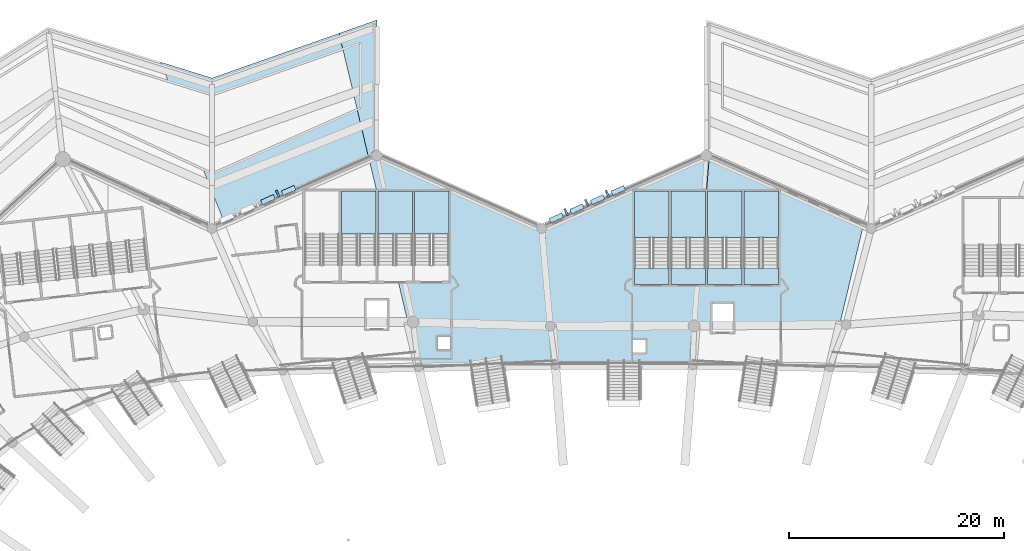
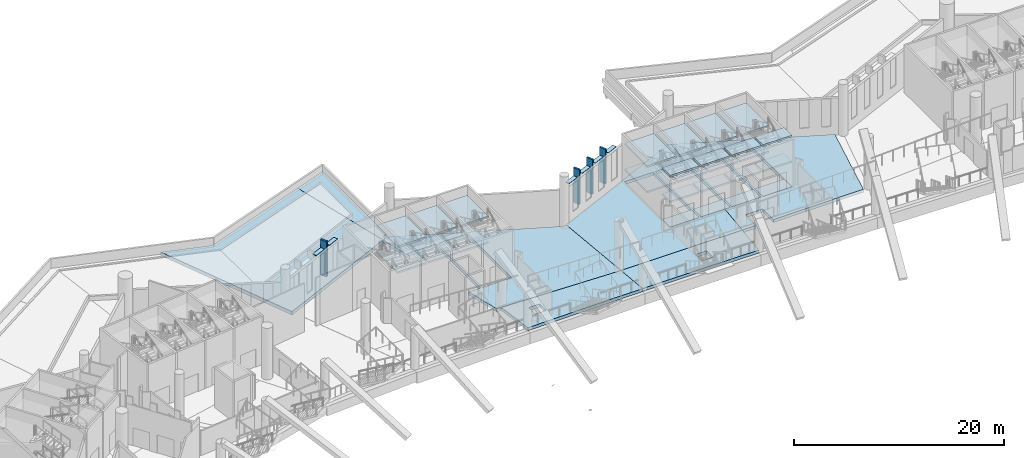
# One storey, part 36 of 173: 33 slabs, 10 plates, 7 elements without a shape of their own.
"""IFC4 building model written with IfcOpenShell, lengths in metres."""

from ifc_helpers import new_model, si_unit, direction, frame, origin, origin_2d, place, context, subcontext, project, spatial, polyline, rectangle, outline, extrude, material, layer, layer_set, type_object, element, aggregate, save


model = new_model("IFC4")

# Units and contexts
model_context = context("Model", 3, precision=1e-05, world=origin(), true_north=direction((0.0, 1.0)))
body_context = subcontext(model_context, "Body", "Model", "MODEL_VIEW")
ifc_project = project(units=[si_unit("LENGTHUNIT", "METRE"), si_unit("AREAUNIT", "SQUARE_METRE"), si_unit("VOLUMEUNIT", "CUBIC_METRE"), si_unit("PLANEANGLEUNIT", "RADIAN"), si_unit("MASSUNIT", "GRAM", prefix="KILO")], contexts=[model_context])

# Site, building, storey
site_placement = place(None, origin())
site = spatial("IfcSite", under=ifc_project, at=site_placement, CompositionType="ELEMENT")
building_placement = place(site_placement, origin())
building = spatial("IfcBuilding", under=site, at=building_placement, Name="Meseta Stadium", CompositionType="ELEMENT")
storey_placement = place(building_placement, frame((0.0, 0.0, 18.0)))
storey = spatial("IfcBuildingStorey", under=building, at=storey_placement, Name="L03", CompositionType="ELEMENT", Elevation=18.0)

# Slabs
ifc_material_1 = material(Name="Concrete C40/50", Category="concrete")
ifc_layer_1 = layer(ifc_material_1, 0.35009765625)
ifc_layer_set_1 = layer_set([ifc_layer_1], Name="Floor slab 350")
slab_type_1 = type_object("IfcSlabType", Name="Floor slab 350", PredefinedType="FLOOR", material=ifc_layer_set_1)
slab_1_placement = place(storey_placement, frame((0.0, 0.0, -0.35009765625)))
element("IfcSlab", 1, at=slab_1_placement, inside=storey, type_object=slab_type_1, Name="Floor slab L03 sector 14 panel 03", PredefinedType="FLOOR", context=body_context, shape_type="SweptSolid", body=[
    extrude(outline(polyline([(-21.023681640625, 93.699951171875), (-20.1201171875, 89.904052734375), (-19.62744140625, 89.90380859375), (-6.87060546875, 89.517822265625), (-6.676025390625, 89.518310546875), (-7.406005859375, 98.715576171875), (-7.666748046875, 98.60009765625), (-23.0, 105.39990234375), (-23.732177734375, 105.0751953125), (-22.89990234375, 101.580078125), (-22.89990234375, 102.10009765625), (-19.699951171875, 102.10009765625), (-19.699951171875, 93.699951171875), (-21.023681640625, 93.699951171875)]), holes=[polyline([(-19.5, 102.10009765625), (-16.300048828125, 102.10009765625), (-16.300048828125, 93.699951171875), (-19.5, 93.699951171875), (-19.5, 102.10009765625)])]), origin(), (0.0, 0.0, 1.0), 0.35009765625),
])
slab_2_placement = place(storey_placement, frame((0.0, 0.0, -0.35009765625)))
element("IfcSlab", 2, at=slab_2_placement, inside=storey, type_object=slab_type_1, Name="Floor slab L03 sector 14 panel 04", PredefinedType="FLOOR", context=body_context, shape_type="SweptSolid", body=[
    extrude(outline(polyline([(-6.386962890625, 85.876708984375), (-6.676025390625, 89.518310546875), (-6.87060546875, 89.517822265625), (-19.62744140625, 89.90380859375), (-19.11865234375, 85.6982421875), (-17.0029296875, 85.7392578125), (-14.884521484375, 85.77587890625), (-12.76318359375, 85.808349609375), (-10.6396484375, 85.8359375), (-8.51416015625, 85.85888671875), (-6.386962890625, 85.876708984375)]), holes=[polyline([(-17.35009765625, 88.550048828125), (-16.14990234375, 88.550048828125), (-16.14990234375, 87.35009765625), (-17.35009765625, 87.35009765625), (-17.35009765625, 88.550048828125)])]), origin(), (0.0, 0.0, 1.0), 0.35009765625),
])
slab_3_placement = place(storey_placement, frame((0.0, 0.0, -0.35009765625)))
element("IfcSlab", 3, at=slab_3_placement, inside=storey, type_object=slab_type_1, Name="Floor slab L03 sector 14 panel 05", PredefinedType="FLOOR", context=body_context, shape_type="SweptSolid", body=[
    extrude(outline(polyline([(7.92724609375, 105.284423828125), (7.666748046875, 105.39990234375), (-7.406005859375, 98.715576171875), (-6.676025390625, 89.518310546875), (6.51708984375, 89.54638671875), (6.678466796875, 89.547607421875), (6.984130859375, 93.39990234375), (4.36669921875, 93.39990234375), (4.36669921875, 102.10009765625), (7.566650390625, 102.10009765625), (7.566650390625, 100.740478515625), (7.92724609375, 105.284423828125)]), holes=[polyline([(4.166748046875, 93.39990234375), (0.966796875, 93.39990234375), (0.966796875, 102.10009765625), (4.166748046875, 102.10009765625), (4.166748046875, 93.39990234375)])]), origin(), (0.0, 0.0, 1.0), 0.35009765625),
])
slab_4_placement = place(storey_placement, frame((0.0, 0.0, -0.35009765625)))
element("IfcSlab", 4, at=slab_4_placement, inside=storey, type_object=slab_type_1, Name="Floor slab L03 sector 14 panel 06", PredefinedType="FLOOR", context=body_context, shape_type="SweptSolid", body=[
    extrude(outline(polyline([(-2.129638671875, 85.8974609375), (0.0, 85.89990234375), (2.129638671875, 85.8974609375), (4.2587890625, 85.8896484375), (6.386962890625, 85.876708984375), (6.678466796875, 89.547607421875), (6.51708984375, 89.54638671875), (-6.676025390625, 89.518310546875), (-6.386962890625, 85.876708984375), (-4.2587890625, 85.8896484375), (-2.129638671875, 85.8974609375)]), holes=[polyline([(0.816650390625, 87.050048828125), (0.816650390625, 88.25), (2.0166015625, 88.25), (2.0166015625, 87.050048828125), (0.816650390625, 87.050048828125)])]), origin(), (0.0, 0.0, 1.0), 0.35009765625),
])
slab_5_placement = place(storey_placement, frame((0.0, 0.0, -0.35009765625)))
element("IfcSlab", 5, at=slab_5_placement, inside=storey, type_object=slab_type_1, Name="Floor slab L03 sector 14 panel 08", PredefinedType="FLOOR", context=body_context, shape_type="SweptSolid", body=[
    extrude(outline(polyline([(20.059814453125, 89.651611328125), (22.267822265625, 98.9248046875), (7.92724609375, 105.284423828125), (7.566650390625, 100.740478515625), (7.566650390625, 93.39990234375), (6.984130859375, 93.39990234375), (6.678466796875, 89.547607421875), (8.216796875, 89.5595703125), (8.216796875, 91.60009765625), (10.11669921875, 91.60009765625), (10.11669921875, 89.574462890625), (20.059814453125, 89.651611328125)]), holes=[polyline([(10.966796875, 93.39990234375), (7.7666015625, 93.39990234375), (7.7666015625, 102.10009765625), (10.966796875, 102.10009765625), (10.966796875, 93.39990234375)]), polyline([(14.36669921875, 93.39990234375), (11.166748046875, 93.39990234375), (11.166748046875, 102.10009765625), (14.36669921875, 102.10009765625), (14.36669921875, 93.39990234375)])]), origin(), (0.0, 0.0, 1.0), 0.35009765625),
])

# Plates
ifc_material_2 = material(Name="White precast concrete C40/50", Category="concrete")
ifc_layer_2 = layer(ifc_material_2, 0.080078125)
ifc_layer_set_2 = layer_set([ifc_layer_2], Name="Louvre hood 1300x450")
plate_type_1 = type_object("IfcPlateType", Name="Louvre hood 1300x450", PredefinedType="USERDEFINED", material=ifc_layer_set_2)
for number, where, z_axis, x_axis, name in (
    (6, (-6.30029296875, 99.5888671875, 4.25), (0.0, 0.0, 1.0), (-0.914139046248, -0.40540079443, 0.0), "Louvre hood L03 F18"),
    (7, (-4.380615234375, 100.440185546875, 4.25), (0.0, 0.0, 1.0), (-0.914139046248, -0.40540079443, 0.0), "Louvre hood L03 F18"),
    (8, (-2.4609375, 101.29150390625, 4.25), (0.0, 0.0, 1.0), (-0.914139046248, -0.40540079443, 0.0), "Louvre hood L03 F18"),
    (9, (-0.541259765625, 102.142822265625, 4.25), (0.0, 0.0, 1.0), (-0.914139046248, -0.40540079443, 0.0), "Louvre hood L03 F18"),
    (10, (-33.12744140625, 101.29150390625, 4.25), (0.0, 0.0, 1.0), (-0.914139046248, -0.40540079443, 0.0), "Louvre hood L03 F20"),
    (11, (-31.207763671875, 102.142822265625, 4.25), (0.0, 0.0, 1.0), (-0.914139046248, -0.40540079443, 0.0), "Louvre hood L03 F20"),
):
    element("IfcPlate", number, at=place(storey_placement, frame(where, z_axis=z_axis, x_axis=x_axis)), inside=storey, type_object=plate_type_1, Name=name, ObjectType="LOUVRE", PredefinedType="USERDEFINED", context=body_context, shape_type="SweptSolid", body=[
        extrude(rectangle(XDim=1.300048828125, YDim=0.449951171875, at=origin_2d()), origin(), (0.0, 0.0, 1.0), 0.080078125),
    ])
ifc_material_3 = material(Name="Precast concrete C40/50, terracotta pigment", Category="masonry")
ifc_layer_3 = layer(ifc_material_3, 0.199951171875)
ifc_layer_set_3 = layer_set([ifc_layer_3], Name="Precast concrete C40/50, terracotta pigment")
plate_type_2 = type_object("IfcPlateType", Name="Precast fin 200x700", PredefinedType="USERDEFINED", material=ifc_layer_set_3)
for number, where, z_axis, x_axis, name in (
    (12, (-5.39111328125, 100.12890625, 0.9501953125), (0.0, 0.0, 1.0), (0.914139367606, 0.405400069798, 0.0), "Precast fin L03 F18.1"),
    (13, (-3.471435546875, 100.97998046875, 0.9501953125), (0.0, 0.0, 1.0), (0.914139367606, 0.405400069798, 0.0), "Precast fin L03 F18.2"),
    (14, (-1.5517578125, 101.83154296875, 0.9501953125), (0.0, 0.0, 1.0), (0.914139367606, 0.405400069798, 0.0), "Precast fin L03 F18.3"),
    (15, (-32.21826171875, 101.83154296875, 0.9501953125), (0.0, 0.0, 1.0), (0.914139367606, 0.405400069798, 0.0), "Precast fin L03 F20.3"),
):
    element("IfcPlate", number, at=place(storey_placement, frame(where, z_axis=z_axis, x_axis=x_axis)), inside=storey, type_object=plate_type_2, Name=name, ObjectType="FIN", PredefinedType="USERDEFINED", context=body_context, shape_type="SweptSolid", body=[
        extrude(rectangle(XDim=0.199951171875, YDim=0.699951171875, at=origin_2d()), origin(), (0.0, 0.0, 1.0), 4.050048828125),
    ])

# Slabs
ifc_material_4 = material(Name="Concrete C40/50", Category="concrete")
ifc_layer_4 = layer(ifc_material_4, 0.39990234375)
ifc_layer_set_4 = layer_set([ifc_layer_4], Name="Roof garden slab 400")
slab_type_2 = type_object("IfcSlabType", Name="Roof garden slab 400", PredefinedType="ROOF", material=ifc_layer_set_4)
slab_6_placement = place(storey_placement, frame((0.0, 0.0, -0.39990234375)))
element("IfcSlab", 16, at=slab_6_placement, inside=storey, type_object=slab_type_2, Name="Roof garden slab 3 part 2 panel 01", PredefinedType="ROOF", context=body_context, shape_type="SweptSolid", body=[
    extrude(outline(polyline([(-26.514892578125, 116.76220703125), (-38.333251953125, 112.60009765625), (-43.118408203125, 114.085205078125), (-37.232421875, 99.25244140625), (-23.767578125, 105.2236328125), (-26.514892578125, 116.76220703125)])), origin(), (0.0, 0.0, 1.0), 0.39990234375),
])
slab_7_placement = place(storey_placement, frame((0.0, 0.0, -0.39990234375)))
element("IfcSlab", 17, at=slab_7_placement, inside=storey, type_object=slab_type_2, Name="Roof garden slab 3 part 2 panel 02", PredefinedType="ROOF", context=body_context, shape_type="SweptSolid", body=[
    extrude(outline(polyline([(-23.0, 118.0), (-26.514892578125, 116.76220703125), (-23.767578125, 105.2236328125), (-23.496826171875, 105.34375), (-23.50439453125, 105.39990234375), (-23.487060546875, 105.530517578125), (-23.436767578125, 105.652099609375), (-23.356689453125, 105.756591796875), (-23.252197265625, 105.836669921875), (-23.130615234375, 105.88720703125), (-23.0, 105.904296875), (-23.0, 118.0)])), origin(), (0.0, 0.0, 1.0), 0.39990234375),
])

# Stair, slabs
ifc_material_5 = material(Name="Concrete C40/50", Category="concrete")
stair_type = type_object("IfcStairType", Name="Exit stair 4 flights 150 mm risers", PredefinedType="HALF_TURN_STAIR", material=ifc_material_5)
stair_1_placement = place(storey_placement, origin())
stair_1 = element("IfcStair", 18, at=stair_1_placement, inside=storey, type_object=stair_type, Name="ST37 L03", PredefinedType="HALF_TURN_STAIR")
ifc_material_6 = material(Name="Concrete C40/50", Category="concrete")
ifc_layer_5 = layer(ifc_material_6, 0.199951171875)
ifc_layer_set_5 = layer_set([ifc_layer_5], Name="Stair landing 200")
slab_type_3 = type_object("IfcSlabType", Name="Stair landing 200", PredefinedType="LANDING", material=ifc_layer_set_5)
slab_8_placement = place(storey_placement, frame((0.0, 0.0, 1.300048828125)))
slab_8 = element("IfcSlab", 19, at=slab_8_placement, type_object=slab_type_3, Name="ST37 L03 landing 1", PredefinedType="LANDING", context=body_context, shape_type="SweptSolid", body=[
    extrude(outline(polyline([(14.36669921875, 97.77001953125), (14.36669921875, 102.10009765625), (11.166748046875, 102.10009765625), (11.166748046875, 97.77001953125), (14.36669921875, 97.77001953125)])), origin(), (0.0, 0.0, 1.0), 0.199951171875),
])
slab_9_placement = place(storey_placement, frame((0.0, 0.0, 2.800048828125)))
slab_9 = element("IfcSlab", 20, at=slab_9_placement, type_object=slab_type_3, Name="ST37 L03 landing 2", PredefinedType="LANDING", context=body_context, shape_type="SweptSolid", body=[
    extrude(outline(polyline([(14.36669921875, 93.39990234375), (14.36669921875, 94.909912109375), (11.166748046875, 94.909912109375), (11.166748046875, 93.39990234375), (14.36669921875, 93.39990234375)])), origin(), (0.0, 0.0, 1.0), 0.199951171875),
])
slab_10_placement = place(storey_placement, frame((0.0, 0.0, 4.300048828125)))
slab_10 = element("IfcSlab", 21, at=slab_10_placement, type_object=slab_type_3, Name="ST37 L03 landing 3", PredefinedType="LANDING", context=body_context, shape_type="SweptSolid", body=[
    extrude(outline(polyline([(14.36669921875, 97.77001953125), (14.36669921875, 102.10009765625), (11.166748046875, 102.10009765625), (11.166748046875, 97.77001953125), (14.36669921875, 97.77001953125)])), origin(), (0.0, 0.0, 1.0), 0.199951171875),
])
slab_11_placement = place(storey_placement, frame((0.0, 0.0, -0.199951171875)))
slab_11 = element("IfcSlab", 22, at=slab_11_placement, type_object=slab_type_3, Name="ST37 L03 landing 4", PredefinedType="LANDING", context=body_context, shape_type="SweptSolid", body=[
    extrude(outline(polyline([(14.36669921875, 93.39990234375), (14.36669921875, 94.909912109375), (11.166748046875, 94.909912109375), (11.166748046875, 93.39990234375), (14.36669921875, 93.39990234375)])), origin(), (0.0, 0.0, 1.0), 0.199951171875),
])
slab_12_placement = place(storey_placement, frame((0.0, 0.0, 5.800048828125)))
slab_12 = element("IfcSlab", 23, at=slab_12_placement, type_object=slab_type_3, Name="ST37 L03 landing 5", PredefinedType="LANDING", context=body_context, shape_type="SweptSolid", body=[
    extrude(outline(polyline([(14.36669921875, 93.39990234375), (14.36669921875, 94.909912109375), (11.166748046875, 94.909912109375), (11.166748046875, 93.39990234375), (14.36669921875, 93.39990234375)])), origin(), (0.0, 0.0, 1.0), 0.199951171875),
])
aggregate(stair_1, [slab_8, slab_9, slab_10, slab_11, slab_12])

stair_2_placement = place(storey_placement, origin())
stair_2 = element("IfcStair", 24, at=stair_2_placement, inside=storey, type_object=stair_type, Name="ST38 L03", PredefinedType="HALF_TURN_STAIR")
slab_13_placement = place(storey_placement, frame((0.0, 0.0, 1.300048828125)))
slab_13 = element("IfcSlab", 25, at=slab_13_placement, type_object=slab_type_3, Name="ST38 L03 landing 1", PredefinedType="LANDING", context=body_context, shape_type="SweptSolid", body=[
    extrude(outline(polyline([(10.966552734375, 97.77001953125), (10.966552734375, 102.10009765625), (7.7666015625, 102.10009765625), (7.7666015625, 97.77001953125), (10.966552734375, 97.77001953125)])), origin(), (0.0, 0.0, 1.0), 0.199951171875),
])
slab_14_placement = place(storey_placement, frame((0.0, 0.0, 2.800048828125)))
slab_14 = element("IfcSlab", 26, at=slab_14_placement, type_object=slab_type_3, Name="ST38 L03 landing 2", PredefinedType="LANDING", context=body_context, shape_type="SweptSolid", body=[
    extrude(outline(polyline([(10.966552734375, 93.39990234375), (10.966552734375, 94.909912109375), (7.7666015625, 94.909912109375), (7.7666015625, 93.39990234375), (10.966552734375, 93.39990234375)])), origin(), (0.0, 0.0, 1.0), 0.199951171875),
])
slab_15_placement = place(storey_placement, frame((0.0, 0.0, 4.300048828125)))
slab_15 = element("IfcSlab", 27, at=slab_15_placement, type_object=slab_type_3, Name="ST38 L03 landing 3", PredefinedType="LANDING", context=body_context, shape_type="SweptSolid", body=[
    extrude(outline(polyline([(10.966552734375, 97.77001953125), (10.966552734375, 102.10009765625), (7.7666015625, 102.10009765625), (7.7666015625, 97.77001953125), (10.966552734375, 97.77001953125)])), origin(), (0.0, 0.0, 1.0), 0.199951171875),
])
slab_16_placement = place(storey_placement, frame((0.0, 0.0, -0.199951171875)))
slab_16 = element("IfcSlab", 28, at=slab_16_placement, type_object=slab_type_3, Name="ST38 L03 landing 4", PredefinedType="LANDING", context=body_context, shape_type="SweptSolid", body=[
    extrude(outline(polyline([(10.966552734375, 93.39990234375), (10.966552734375, 94.909912109375), (7.7666015625, 94.909912109375), (7.7666015625, 93.39990234375), (10.966552734375, 93.39990234375)])), origin(), (0.0, 0.0, 1.0), 0.199951171875),
])
slab_17_placement = place(storey_placement, frame((0.0, 0.0, 5.800048828125)))
slab_17 = element("IfcSlab", 29, at=slab_17_placement, type_object=slab_type_3, Name="ST38 L03 landing 5", PredefinedType="LANDING", context=body_context, shape_type="SweptSolid", body=[
    extrude(outline(polyline([(10.966552734375, 93.39990234375), (10.966552734375, 94.909912109375), (7.7666015625, 94.909912109375), (7.7666015625, 93.39990234375), (10.966552734375, 93.39990234375)])), origin(), (0.0, 0.0, 1.0), 0.199951171875),
])
aggregate(stair_2, [slab_13, slab_14, slab_15, slab_16, slab_17])

stair_3_placement = place(storey_placement, origin())
stair_3 = element("IfcStair", 30, at=stair_3_placement, inside=storey, type_object=stair_type, Name="ST39 L03", PredefinedType="HALF_TURN_STAIR")
slab_18_placement = place(storey_placement, frame((0.0, 0.0, 1.300048828125)))
slab_18 = element("IfcSlab", 31, at=slab_18_placement, type_object=slab_type_3, Name="ST39 L03 landing 1", PredefinedType="LANDING", context=body_context, shape_type="SweptSolid", body=[
    extrude(outline(polyline([(7.566650390625, 97.77001953125), (7.566650390625, 102.10009765625), (4.36669921875, 102.10009765625), (4.36669921875, 97.77001953125), (7.566650390625, 97.77001953125)])), origin(), (0.0, 0.0, 1.0), 0.199951171875),
])
slab_19_placement = place(storey_placement, frame((0.0, 0.0, 2.800048828125)))
slab_19 = element("IfcSlab", 32, at=slab_19_placement, type_object=slab_type_3, Name="ST39 L03 landing 2", PredefinedType="LANDING", context=body_context, shape_type="SweptSolid", body=[
    extrude(outline(polyline([(7.566650390625, 93.39990234375), (7.566650390625, 94.909912109375), (4.36669921875, 94.909912109375), (4.36669921875, 93.39990234375), (7.566650390625, 93.39990234375)])), origin(), (0.0, 0.0, 1.0), 0.199951171875),
])
slab_20_placement = place(storey_placement, frame((0.0, 0.0, 4.300048828125)))
slab_20 = element("IfcSlab", 33, at=slab_20_placement, type_object=slab_type_3, Name="ST39 L03 landing 3", PredefinedType="LANDING", context=body_context, shape_type="SweptSolid", body=[
    extrude(outline(polyline([(7.566650390625, 97.77001953125), (7.566650390625, 102.10009765625), (4.36669921875, 102.10009765625), (4.36669921875, 97.77001953125), (7.566650390625, 97.77001953125)])), origin(), (0.0, 0.0, 1.0), 0.199951171875),
])
slab_21_placement = place(storey_placement, frame((0.0, 0.0, -0.199951171875)))
slab_21 = element("IfcSlab", 34, at=slab_21_placement, type_object=slab_type_3, Name="ST39 L03 landing 4", PredefinedType="LANDING", context=body_context, shape_type="SweptSolid", body=[
    extrude(outline(polyline([(7.566650390625, 93.39990234375), (7.566650390625, 94.909912109375), (4.36669921875, 94.909912109375), (4.36669921875, 93.39990234375), (7.566650390625, 93.39990234375)])), origin(), (0.0, 0.0, 1.0), 0.199951171875),
])
slab_22_placement = place(storey_placement, frame((0.0, 0.0, 5.800048828125)))
slab_22 = element("IfcSlab", 35, at=slab_22_placement, type_object=slab_type_3, Name="ST39 L03 landing 5", PredefinedType="LANDING", context=body_context, shape_type="SweptSolid", body=[
    extrude(outline(polyline([(7.566650390625, 93.39990234375), (7.566650390625, 94.909912109375), (4.36669921875, 94.909912109375), (4.36669921875, 93.39990234375), (7.566650390625, 93.39990234375)])), origin(), (0.0, 0.0, 1.0), 0.199951171875),
])
aggregate(stair_3, [slab_18, slab_19, slab_20, slab_21, slab_22])

stair_4_placement = place(storey_placement, origin())
stair_4 = element("IfcStair", 36, at=stair_4_placement, inside=storey, type_object=stair_type, Name="ST40 L03", PredefinedType="HALF_TURN_STAIR")
slab_23_placement = place(storey_placement, frame((0.0, 0.0, 1.300048828125)))
slab_23 = element("IfcSlab", 37, at=slab_23_placement, type_object=slab_type_3, Name="ST40 L03 landing 1", PredefinedType="LANDING", context=body_context, shape_type="SweptSolid", body=[
    extrude(outline(polyline([(4.166748046875, 97.77001953125), (4.166748046875, 102.10009765625), (0.966552734375, 102.10009765625), (0.966552734375, 97.77001953125), (4.166748046875, 97.77001953125)])), origin(), (0.0, 0.0, 1.0), 0.199951171875),
])
slab_24_placement = place(storey_placement, frame((0.0, 0.0, 2.800048828125)))
slab_24 = element("IfcSlab", 38, at=slab_24_placement, type_object=slab_type_3, Name="ST40 L03 landing 2", PredefinedType="LANDING", context=body_context, shape_type="SweptSolid", body=[
    extrude(outline(polyline([(4.166748046875, 93.39990234375), (4.166748046875, 94.909912109375), (0.966552734375, 94.909912109375), (0.966552734375, 93.39990234375), (4.166748046875, 93.39990234375)])), origin(), (0.0, 0.0, 1.0), 0.199951171875),
])
slab_25_placement = place(storey_placement, frame((0.0, 0.0, 4.300048828125)))
slab_25 = element("IfcSlab", 39, at=slab_25_placement, type_object=slab_type_3, Name="ST40 L03 landing 3", PredefinedType="LANDING", context=body_context, shape_type="SweptSolid", body=[
    extrude(outline(polyline([(4.166748046875, 97.77001953125), (4.166748046875, 102.10009765625), (0.966552734375, 102.10009765625), (0.966552734375, 97.77001953125), (4.166748046875, 97.77001953125)])), origin(), (0.0, 0.0, 1.0), 0.199951171875),
])
slab_26_placement = place(storey_placement, frame((0.0, 0.0, -0.199951171875)))
slab_26 = element("IfcSlab", 40, at=slab_26_placement, type_object=slab_type_3, Name="ST40 L03 landing 4", PredefinedType="LANDING", context=body_context, shape_type="SweptSolid", body=[
    extrude(outline(polyline([(4.166748046875, 93.39990234375), (4.166748046875, 94.909912109375), (0.966552734375, 94.909912109375), (0.966552734375, 93.39990234375), (4.166748046875, 93.39990234375)])), origin(), (0.0, 0.0, 1.0), 0.199951171875),
])
slab_27_placement = place(storey_placement, frame((0.0, 0.0, 5.800048828125)))
slab_27 = element("IfcSlab", 41, at=slab_27_placement, type_object=slab_type_3, Name="ST40 L03 landing 5", PredefinedType="LANDING", context=body_context, shape_type="SweptSolid", body=[
    extrude(outline(polyline([(4.166748046875, 93.39990234375), (4.166748046875, 94.909912109375), (0.966552734375, 94.909912109375), (0.966552734375, 93.39990234375), (4.166748046875, 93.39990234375)])), origin(), (0.0, 0.0, 1.0), 0.199951171875),
])
aggregate(stair_4, [slab_23, slab_24, slab_25, slab_26, slab_27])

stair_5_placement = place(storey_placement, origin())
stair_5 = element("IfcStair", 42, at=stair_5_placement, inside=storey, type_object=stair_type, Name="ST41 L03", PredefinedType="HALF_TURN_STAIR")
slab_28_placement = place(storey_placement, frame((0.0, 0.0, 1.300048828125)))
slab_28 = element("IfcSlab", 43, at=slab_28_placement, type_object=slab_type_3, Name="ST41 L03 landing 1", PredefinedType="LANDING", context=body_context, shape_type="SweptSolid", body=[
    extrude(outline(polyline([(-16.300048828125, 98.070068359375), (-16.300048828125, 102.10009765625), (-19.5, 102.10009765625), (-19.5, 98.070068359375), (-16.300048828125, 98.070068359375)])), origin(), (0.0, 0.0, 1.0), 0.199951171875),
])
slab_29_placement = place(storey_placement, frame((0.0, 0.0, 4.300048828125)))
slab_29 = element("IfcSlab", 44, at=slab_29_placement, type_object=slab_type_3, Name="ST41 L03 landing 3", PredefinedType="LANDING", context=body_context, shape_type="SweptSolid", body=[
    extrude(outline(polyline([(-16.300048828125, 98.070068359375), (-16.300048828125, 102.10009765625), (-19.5, 102.10009765625), (-19.5, 98.070068359375), (-16.300048828125, 98.070068359375)])), origin(), (0.0, 0.0, 1.0), 0.199951171875),
])
aggregate(stair_5, [slab_28, slab_29])

stair_6_placement = place(storey_placement, origin())
stair_6 = element("IfcStair", 45, at=stair_6_placement, inside=storey, type_object=stair_type, Name="ST42 L03", PredefinedType="HALF_TURN_STAIR")
slab_30_placement = place(storey_placement, frame((0.0, 0.0, 1.300048828125)))
slab_30 = element("IfcSlab", 46, at=slab_30_placement, type_object=slab_type_3, Name="ST42 L03 landing 1", PredefinedType="LANDING", context=body_context, shape_type="SweptSolid", body=[
    extrude(outline(polyline([(-19.699951171875, 98.070068359375), (-19.699951171875, 102.10009765625), (-22.89990234375, 102.10009765625), (-22.89990234375, 98.070068359375), (-19.699951171875, 98.070068359375)])), origin(), (0.0, 0.0, 1.0), 0.199951171875),
])
slab_31_placement = place(storey_placement, frame((0.0, 0.0, 4.300048828125)))
slab_31 = element("IfcSlab", 47, at=slab_31_placement, type_object=slab_type_3, Name="ST42 L03 landing 3", PredefinedType="LANDING", context=body_context, shape_type="SweptSolid", body=[
    extrude(outline(polyline([(-19.699951171875, 98.070068359375), (-19.699951171875, 102.10009765625), (-22.89990234375, 102.10009765625), (-22.89990234375, 98.070068359375), (-19.699951171875, 98.070068359375)])), origin(), (0.0, 0.0, 1.0), 0.199951171875),
])
aggregate(stair_6, [slab_30, slab_31])

stair_7_placement = place(storey_placement, origin())
stair_7 = element("IfcStair", 48, at=stair_7_placement, inside=storey, type_object=stair_type, Name="ST43 L03", PredefinedType="HALF_TURN_STAIR")
slab_32_placement = place(storey_placement, frame((0.0, 0.0, 1.300048828125)))
slab_32 = element("IfcSlab", 49, at=slab_32_placement, type_object=slab_type_3, Name="ST43 L03 landing 1", PredefinedType="LANDING", context=body_context, shape_type="SweptSolid", body=[
    extrude(outline(polyline([(-23.10009765625, 98.070068359375), (-23.10009765625, 102.10009765625), (-26.300048828125, 102.10009765625), (-26.300048828125, 98.070068359375), (-23.10009765625, 98.070068359375)])), origin(), (0.0, 0.0, 1.0), 0.199951171875),
])
slab_33_placement = place(storey_placement, frame((0.0, 0.0, 4.300048828125)))
slab_33 = element("IfcSlab", 50, at=slab_33_placement, type_object=slab_type_3, Name="ST43 L03 landing 3", PredefinedType="LANDING", context=body_context, shape_type="SweptSolid", body=[
    extrude(outline(polyline([(-23.10009765625, 98.070068359375), (-23.10009765625, 102.10009765625), (-26.300048828125, 102.10009765625), (-26.300048828125, 98.070068359375), (-23.10009765625, 98.070068359375)])), origin(), (0.0, 0.0, 1.0), 0.199951171875),
])
aggregate(stair_7, [slab_32, slab_33])

save(model, "model.ifc")
